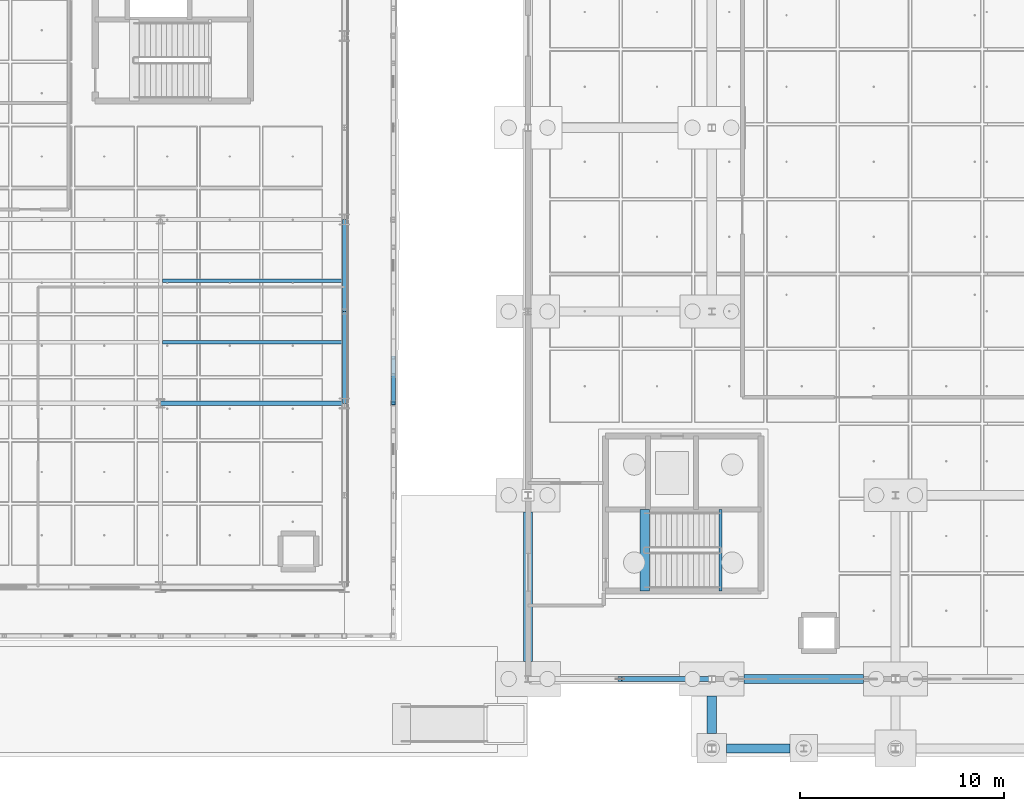
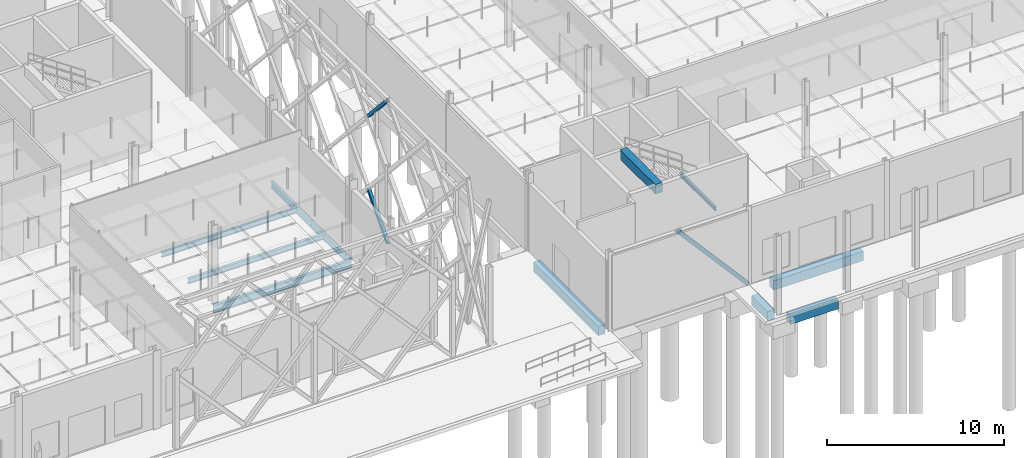
# One storey, part 39 of 180: 11 beams, 3 members.
"""IFC4 building model written with IfcOpenShell, lengths in metres."""

from ifc_helpers import new_model, si_unit, direction, frame, origin, origin_2d, place, context, subcontext, project, spatial, rectangle, hollow_rectangle, i_section, extrude, material, material_profile, profile_set, type_object, element, save


model = new_model("IFC4")

# Units and contexts
model_context = context("Model", 3, precision=1e-05, world=origin(), true_north=direction((0.0, 1.0)))
body_context = subcontext(model_context, "Body", "Model", "MODEL_VIEW")
ifc_project = project(units=[si_unit("LENGTHUNIT", "METRE"), si_unit("AREAUNIT", "SQUARE_METRE"), si_unit("VOLUMEUNIT", "CUBIC_METRE"), si_unit("PLANEANGLEUNIT", "RADIAN"), si_unit("MASSUNIT", "GRAM", prefix="KILO"), si_unit("THERMODYNAMICTEMPERATUREUNIT", "KELVIN"), si_unit("POWERUNIT", "WATT")], contexts=[model_context])

# Site, building, storey
site_placement = place(None, origin())
site = spatial("IfcSite", under=ifc_project, at=site_placement, CompositionType="ELEMENT")
building_placement = place(site_placement, origin())
building = spatial("IfcBuilding", under=site, at=building_placement, Name="Tallowbark Science Centre", CompositionType="ELEMENT")
storey_placement = place(building_placement, origin())
storey = spatial("IfcBuildingStorey", under=building, at=storey_placement, Name="L00", CompositionType="ELEMENT", Elevation=0.0)

# Beams
ifc_material_1 = material(Name="Concrete Grade N40 (40 MPa)", Category="concrete")
ifc_material_profile_1 = material_profile(ifc_material_1, rectangle(XDim=0.449951171875, YDim=0.64990234375, at=origin_2d()), Name="RC450x650")
ifc_profile_set_1 = profile_set([ifc_material_profile_1], Name="Concrete Grade N40 (40 MPa)")
beam_type_1 = type_object("IfcBeamType", Name="BM-GB2-N40", PredefinedType="BEAM", material=ifc_profile_set_1)
beam_1_placement = place(storey_placement, frame((123.074951171875, 0.0, -0.5849609375), z_axis=(1.0, 0.0, 0.0), x_axis=(0.0, 1.0, 0.0)))
element("IfcBeam", 1, at=beam_1_placement, inside=storey, type_object=beam_type_1, Name="Ground Tie Beam GBT-X-254", PredefinedType="BEAM", context=body_context, shape_type="SweptSolid", body=[
    extrude(rectangle(XDim=0.449951171875, YDim=0.64990234375, at=origin_2d()), origin(), (0.0, 0.0, 1.0), 5.85009765625),
])
beam_2_placement = place(storey_placement, frame((122.22509765625, -3.39990234375, -0.5849609375), z_axis=(1.0, 0.0, 0.0), x_axis=(0.0, 1.0, 0.0)))
element("IfcBeam", 2, at=beam_2_placement, inside=storey, type_object=beam_type_1, Name="Ground Tie Beam GBT-X-287", PredefinedType="BEAM", context=body_context, shape_type="SweptSolid", body=[
    extrude(rectangle(XDim=0.449951171875, YDim=0.64990234375, at=origin_2d()), origin(), (0.0, 0.0, 1.0), 3.099853515625),
])
beam_3_placement = place(storey_placement, frame((112.5, 0.85009765625, -0.5849609375), z_axis=(0.0, 1.0, 0.0), x_axis=(-1.0, 0.0, 0.0)))
element("IfcBeam", 3, at=beam_3_placement, inside=storey, type_object=beam_type_1, Name="Ground Tie Beam GBT-Y-327", PredefinedType="BEAM", context=body_context, shape_type="SweptSolid", body=[
    extrude(rectangle(XDim=0.449951171875, YDim=0.64990234375, at=origin_2d()), origin(), (0.0, 0.0, 1.0), 7.324951171875),
])
beam_4_placement = place(storey_placement, frame((121.5, -2.675048828125, -0.5849609375), z_axis=(0.0, 1.0, 0.0), x_axis=(-1.0, 0.0, 0.0)))
element("IfcBeam", 4, at=beam_4_placement, inside=storey, type_object=beam_type_1, Name="Ground Tie Beam GBT-Y-331", PredefinedType="BEAM", context=body_context, shape_type="SweptSolid", body=[
    extrude(rectangle(XDim=0.449951171875, YDim=0.64990234375, at=origin_2d()), origin(), (0.0, 0.0, 1.0), 1.85009765625),
])
beam_5_placement = place(storey_placement, frame((118.2099609375, 4.300048828125, 5.074951171875), z_axis=(0.0, 1.0, 0.0), x_axis=(-1.0, 0.0, 0.0)))
element("IfcBeam", 5, at=beam_5_placement, inside=storey, type_object=beam_type_1, Name="Stair ST-06 Landing Nosing Beam L00", PredefinedType="BEAM", context=body_context, shape_type="SweptSolid", body=[
    extrude(rectangle(XDim=0.449951171875, YDim=0.64990234375, at=origin_2d()), origin(), (0.0, 0.0, 1.0), 3.994873046875),
])
ifc_material_2 = material(Name="Structural Steel Grade 300PLUS (300 MPa)", Category="steel")
ifc_material_profile_2 = material_profile(ifc_material_2, i_section(OverallWidth=0.208984375, OverallDepth=0.532958984375, WebThickness=0.01025390625, FlangeThickness=0.015625, FilletRadius=0.013916015625, at=origin_2d()), Name="530UB92.4")
ifc_profile_set_2 = profile_set([ifc_material_profile_2], Name="Structural Steel Grade 300PLUS (300 MPa)")
beam_type_2 = type_object("IfcBeamType", Name="BM-UB530A", PredefinedType="BEAM", material=ifc_profile_set_2)
beam_6_placement = place(storey_placement, frame((94.5, 13.5, -0.506591796875), z_axis=(1.0, 0.0, 0.0), x_axis=(0.0, 1.0, 0.0)))
element("IfcBeam", 6, at=beam_6_placement, inside=storey, type_object=beam_type_2, Name="Primary Girder GRDX-L00-945-1035-135", PredefinedType="BEAM", context=body_context, shape_type="SweptSolid", body=[
    extrude(i_section(OverallWidth=0.208984375, OverallDepth=0.532958984375, WebThickness=0.01025390625, FlangeThickness=0.015625, FilletRadius=0.013916015625, at=origin_2d()), origin(), (0.0, 0.0, 1.0), 9.0),
])

# Member
ifc_material_3 = material(Name="Structural Steel Grade C350L0 (350 MPa)", Category="steel")
ifc_material_profile_3 = material_profile(ifc_material_3, hollow_rectangle(XDim=0.25, YDim=0.25, WallThickness=0.009033203125, at=origin_2d()), Name="250x250x9.0SHS")
ifc_profile_set_3 = profile_set([ifc_material_profile_3], Name="Structural Steel Grade C350L0 (350 MPa)")
member_type_1 = type_object("IfcMemberType", Name="CBF-250SHS", PredefinedType="BRACE", material=ifc_profile_set_3)
member_1_placement = place(storey_placement, frame((121.5, 0.0, 0.0), z_axis=(-0.657993936846, 0.0, 0.753023226119), x_axis=(0.0, -1.0, 0.0)))
element("IfcMember", 7, at=member_1_placement, inside=storey, type_object=member_type_1, Name="Concentric Chevron Brace CBF-THT-S1 L00 Right", PredefinedType="BRACE", context=body_context, shape_type="SweptSolid", body=[
    extrude(hollow_rectangle(XDim=0.25, YDim=0.25, WallThickness=0.009033203125, at=origin_2d()), origin(), (0.0, 0.0, 1.0), 6.8388671875),
])

# Beams
ifc_material_profile_4 = material_profile(ifc_material_2, i_section(OverallWidth=0.146484375, OverallDepth=0.256103515625, WebThickness=0.00634765625, FlangeThickness=0.010986328125, FilletRadius=0.0087890625, at=origin_2d()), Name="250UB37.3")
ifc_profile_set_4 = profile_set([ifc_material_profile_4], Name="Structural Steel Grade 300PLUS (300 MPa)")
beam_type_3 = type_object("IfcBeamType", Name="JST-UB250", PredefinedType="JOIST", material=ifc_profile_set_4)
beam_7_placement = place(storey_placement, frame((121.919921875, 4.300048828125, 2.371826171875), z_axis=(0.0, 1.0, 0.0), x_axis=(-1.0, 0.0, 0.0)))
element("IfcBeam", 8, at=beam_7_placement, inside=storey, type_object=beam_type_3, Name="Stair ST-06 Half-Landing Trimmer L00", PredefinedType="JOIST", context=body_context, shape_type="SweptSolid", body=[
    extrude(i_section(OverallWidth=0.146484375, OverallDepth=0.256103515625, WebThickness=0.00634765625, FlangeThickness=0.010986328125, FilletRadius=0.0087890625, at=origin_2d()), origin(), (0.0, 0.0, 1.0), 3.994873046875),
])
ifc_material_profile_5 = material_profile(ifc_material_2, i_section(OverallWidth=0.172119140625, OverallDepth=0.358642578125, WebThickness=0.008056640625, FlangeThickness=0.012939453125, FilletRadius=0.011474609375, at=origin_2d()), Name="360UB56.7")
ifc_profile_set_5 = profile_set([ifc_material_profile_5], Name="Structural Steel Grade 300PLUS (300 MPa)")
beam_type_4 = type_object("IfcBeamType", Name="JST-UB360", PredefinedType="JOIST", material=ifc_profile_set_5)
for number, where, z_axis, x_axis, name in (
    (9, (94.5849609375, 16.5, -0.419189453125), (1.0, 0.0, 0.0), (0.0, 1.0, 0.0), "Composite Floor Joist JSTX-L00-945-165"),
    (10, (94.5849609375, 19.5, -0.419189453125), (1.0, 0.0, 0.0), (0.0, 1.0, 0.0), "Composite Floor Joist JSTX-L00-945-195"),
):
    element("IfcBeam", number, at=place(storey_placement, frame(where, z_axis=z_axis, x_axis=x_axis)), inside=storey, type_object=beam_type_4, Name=name, PredefinedType="JOIST", context=body_context, shape_type="SweptSolid", body=[
        extrude(i_section(OverallWidth=0.172119140625, OverallDepth=0.358642578125, WebThickness=0.008056640625, FlangeThickness=0.012939453125, FilletRadius=0.011474609375, at=origin_2d()), origin(), (0.0, 0.0, 1.0), 8.830078125),
    ])

# Members
ifc_material_4 = material(Name="White Architectural Painted Steel Grade C350L0 (350 MPa)", Category="steel")
ifc_material_profile_6 = material_profile(ifc_material_4, hollow_rectangle(XDim=0.199951171875, YDim=0.199951171875, WallThickness=0.009033203125, at=origin_2d()), Name="200x200x9.0SHS")
ifc_profile_set_6 = profile_set([ifc_material_profile_6], Name="White Architectural Painted Steel Grade C350L0 (350 MPa)")
member_type_2 = type_object("IfcMemberType", Name="SCR-STAR139", PredefinedType="BRACE", material=ifc_profile_set_6)
member_2_placement = place(storey_placement, frame((105.89990234375, 13.5, 0.0), z_axis=(0.0, 0.672658262301, 0.739953283768), x_axis=(-1.0, 0.0, 0.0)))
element("IfcMember", 11, at=member_2_placement, inside=storey, type_object=member_type_2, Name="Star Screen Continuous X-Diagonal D1A E-12", PredefinedType="BRACE", context=body_context, shape_type="SweptSolid", body=[
    extrude(hollow_rectangle(XDim=0.199951171875, YDim=0.199951171875, WallThickness=0.009033203125, at=origin_2d()), origin(), (0.0, 0.0, 1.0), 3.344970703125),
])
member_3_placement = place(storey_placement, frame((105.89990234375, 13.5, 9.89990234375), z_axis=(0.0, 0.672694592231, -0.739920256233), x_axis=(-1.0, 0.0, 0.0)))
element("IfcMember", 12, at=member_3_placement, inside=storey, type_object=member_type_2, Name="Star Screen Split X-Diagonal D2A E-12", PredefinedType="BRACE", context=body_context, shape_type="SweptSolid", body=[
    extrude(hollow_rectangle(XDim=0.199951171875, YDim=0.199951171875, WallThickness=0.009033203125, at=origin_2d()), origin(), (0.0, 0.0, 1.0), 3.3447265625),
])

# Beams
ifc_material_profile_7 = material_profile(ifc_material_2, i_section(OverallWidth=0.18994140625, OverallDepth=0.453857421875, WebThickness=0.008544921875, FlangeThickness=0.0126953125, FilletRadius=0.011474609375, at=origin_2d()), Name="460UB67.1")
ifc_profile_set_7 = profile_set([ifc_material_profile_7], Name="Structural Steel Grade 300PLUS (300 MPa)")
beam_type_5 = type_object("IfcBeamType", Name="SPN-UB460", PredefinedType="SPANDREL", material=ifc_profile_set_7)
for number, where, z_axis, x_axis, name in (
    (13, (103.5, 13.5, -0.491943359375), (0.0, 1.0, 0.0), (-1.0, 0.0, 0.0), "Primary Girder GRDY-L00-1035-135-180"),
    (14, (103.5, 18.0, -0.491943359375), (0.0, 1.0, 0.0), (-1.0, 0.0, 0.0), "Primary Girder GRDY-L00-1035-180-225"),
):
    element("IfcBeam", number, at=place(storey_placement, frame(where, z_axis=z_axis, x_axis=x_axis)), inside=storey, type_object=beam_type_5, Name=name, PredefinedType="SPANDREL", context=body_context, shape_type="SweptSolid", body=[
        extrude(i_section(OverallWidth=0.18994140625, OverallDepth=0.453857421875, WebThickness=0.008544921875, FlangeThickness=0.0126953125, FilletRadius=0.011474609375, at=origin_2d()), origin(), (0.0, 0.0, 1.0), 4.5),
    ])

save(model, "model.ifc")
